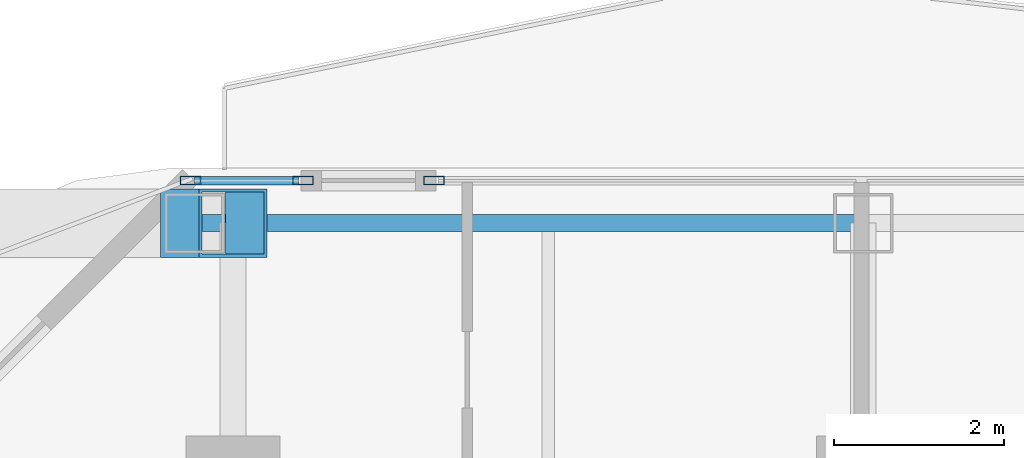
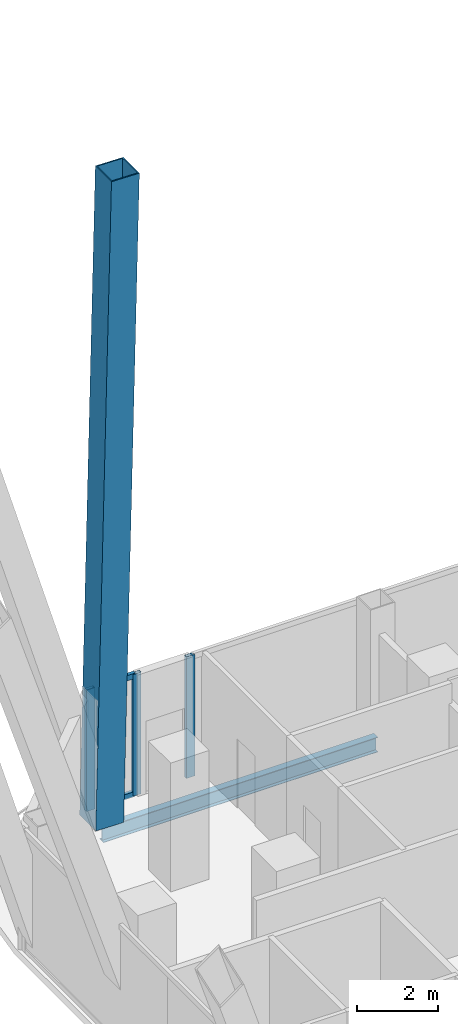
# One storey, part 17 of 32: 6 members, 1 beam, 2 elements without a shape of their own.
"""IFC4 building model written with IfcOpenShell, lengths in metres."""

from ifc_helpers import new_model, si_unit, direction, frame, origin, origin_2d, place, context, subcontext, project, spatial, hollow_rectangle, i_section, extrude, material, layer, layer_set, material_profile, profile_set, type_object, element, aggregate, save


model = new_model("IFC4")

# Units and contexts
model_context = context("Model", 3, precision=1e-05, world=origin(), true_north=direction((0.0, 1.0)))
body_context = subcontext(model_context, "Body", "Model", "MODEL_VIEW")
ifc_project = project(units=[si_unit("LENGTHUNIT", "METRE"), si_unit("AREAUNIT", "SQUARE_METRE"), si_unit("VOLUMEUNIT", "CUBIC_METRE"), si_unit("PLANEANGLEUNIT", "RADIAN"), si_unit("MASSUNIT", "GRAM", prefix="KILO")], contexts=[model_context])

# Site, building, storey
site_placement = place(None, origin())
site = spatial("IfcSite", under=ifc_project, at=site_placement, CompositionType="ELEMENT")
building_placement = place(site_placement, origin())
building = spatial("IfcBuilding", under=site, at=building_placement, Name="Khorvyn Point Tower", CompositionType="ELEMENT")
storey_placement = place(building_placement, frame((0.0, 0.0, 148.5)))
storey = spatial("IfcBuildingStorey", under=building, at=storey_placement, Name="L37", CompositionType="ELEMENT", Elevation=148.5)

# Curtain wall, members
ifc_material_1 = material(Name="Anodised aluminium 6063-T6 and laminated Low-E glass", Category="aluminium")
ifc_layer = layer(ifc_material_1, 0.18994140625)
ifc_layer_set = layer_set([ifc_layer], Name="Stick-Built Acoustic Curtain Wall CW-SYS-03")
curtain_wall_type = type_object("IfcCurtainWallType", Name="Stick-Built Acoustic Curtain Wall CW-SYS-03", PredefinedType="NOTDEFINED", material=ifc_layer_set)
curtain_wall_1_placement = place(storey_placement, origin())
curtain_wall_1 = element("IfcCurtainWall", 1, at=curtain_wall_1_placement, inside=storey, type_object=curtain_wall_type, Name="Curtain Wall", PredefinedType="NOTDEFINED")
ifc_material_2 = material(Name="Anodised aluminium 6063-T6", Category="aluminium")
ifc_material_profile_1 = material_profile(ifc_material_2, hollow_rectangle(XDim=0.10009765625, YDim=0.239990234375, WallThickness=0.0048828125, at=origin_2d()))
ifc_profile_set_1 = profile_set([ifc_material_profile_1], Name="Anodised aluminium 6063-T6 ALU-MUL-100x240")
member_type_1 = type_object("IfcMemberType", Name="Anodised Aluminium 6063-T6 Mullion ALU-MUL-100x240", PredefinedType="MULLION", material=ifc_profile_set_1)
member_1_placement = place(storey_placement, frame((-15.300048828125, 23.64990234375, 0.0), z_axis=(0.0, 0.0, 1.0), x_axis=(0.0, 1.0, 0.0)))
member_1 = element("IfcMember", 2, at=member_1_placement, type_object=member_type_1, Name="Transom", PredefinedType="MULLION", context=body_context, shape_type="SweptSolid", body=[
    extrude(hollow_rectangle(XDim=0.10009765625, YDim=0.239990234375, WallThickness=0.0048828125, at=origin_2d()), origin(), (0.0, 0.0, 1.0), 3.679931640625),
])
member_2_placement = place(storey_placement, frame((-13.97900390625, 23.64990234375, 0.0), z_axis=(0.0, 0.0, 1.0), x_axis=(0.0, 1.0, 0.0)))
member_2 = element("IfcMember", 3, at=member_2_placement, type_object=member_type_1, Name="Transom", PredefinedType="MULLION", context=body_context, shape_type="SweptSolid", body=[
    extrude(hollow_rectangle(XDim=0.10009765625, YDim=0.239990234375, WallThickness=0.0048828125, at=origin_2d()), origin(), (0.0, 0.0, 1.0), 3.679931640625),
])

# Curtain wall, member
curtain_wall_2_placement = place(storey_placement, origin())
curtain_wall_2 = element("IfcCurtainWall", 4, at=curtain_wall_2_placement, inside=storey, type_object=curtain_wall_type, Name="Curtain Wall", PredefinedType="NOTDEFINED")
member_3_placement = place(storey_placement, frame((-12.43896484375, 23.64990234375, 0.0), z_axis=(0.0, 0.0, 1.0), x_axis=(0.0, 1.0, 0.0)))
member_3 = element("IfcMember", 5, at=member_3_placement, type_object=member_type_1, Name="Transom", PredefinedType="MULLION", context=body_context, shape_type="SweptSolid", body=[
    extrude(hollow_rectangle(XDim=0.10009765625, YDim=0.239990234375, WallThickness=0.0048828125, at=origin_2d()), origin(), (0.0, 0.0, 1.0), 3.679931640625),
])
aggregate(curtain_wall_2, [member_3])

# Member
ifc_material_profile_2 = material_profile(ifc_material_2, hollow_rectangle(XDim=0.10009765625, YDim=0.159912109375, WallThickness=0.00439453125, at=origin_2d()))
ifc_profile_set_2 = profile_set([ifc_material_profile_2], Name="Anodised aluminium 6063-T6 ALU-TRN-100x160")
member_type_2 = type_object("IfcMemberType", Name="Anodised Aluminium 6063-T6 Transom ALU-TRN-100x160", PredefinedType="USERDEFINED", material=ifc_profile_set_2)
member_4_placement = place(storey_placement, frame((-15.25, 23.64990234375, 0.050048828125), z_axis=(1.0, 0.0, 0.0), x_axis=(0.0, 1.0, 0.0)))
member_4 = element("IfcMember", 6, at=member_4_placement, type_object=member_type_2, Name="Transom", ObjectType="TRANSOM", PredefinedType="USERDEFINED", context=body_context, shape_type="SweptSolid", body=[
    extrude(hollow_rectangle(XDim=0.10009765625, YDim=0.159912109375, WallThickness=0.00439453125, at=origin_2d()), origin(), (0.0, 0.0, 1.0), 1.220947265625),
])

member_5_placement = place(storey_placement, frame((-15.25, 23.64990234375, 3.6298828125), z_axis=(1.0, 0.0, 0.0), x_axis=(0.0, 1.0, 0.0)))
member_5 = element("IfcMember", 7, at=member_5_placement, type_object=member_type_2, Name="Transom", ObjectType="TRANSOM", PredefinedType="USERDEFINED", context=body_context, shape_type="SweptSolid", body=[
    extrude(hollow_rectangle(XDim=0.10009765625, YDim=0.159912109375, WallThickness=0.00439453125, at=origin_2d()), origin(), (0.0, 0.0, 1.0), 1.220947265625),
])

aggregate(curtain_wall_1, [member_1, member_2, member_4, member_5])

# Beam
ifc_material_3 = material(Name="Steel S355", Category="steel")
ifc_material_profile_3 = material_profile(ifc_material_3, i_section(OverallWidth=0.199951171875, OverallDepth=0.449951171875, WebThickness=0.009033203125, FlangeThickness=0.013916015625, at=origin_2d()))
ifc_profile_set_3 = profile_set([ifc_material_profile_3], Name="Steel S355 H450x200x9x14")
beam_type = type_object("IfcBeamType", Name="Steel S355 Spandrel H450x200x9x14", PredefinedType="SPANDREL", material=ifc_profile_set_3)
beam_placement = place(storey_placement, frame((-15.25, 23.14990234375, -0.445068359375), z_axis=(1.0, 0.0, 0.0), x_axis=(0.0, 1.0, 0.0)))
element("IfcBeam", 8, at=beam_placement, inside=storey, type_object=beam_type, Name="Beam", PredefinedType="SPANDREL", context=body_context, shape_type="SweptSolid", body=[
    extrude(i_section(OverallWidth=0.199951171875, OverallDepth=0.449951171875, WebThickness=0.009033203125, FlangeThickness=0.013916015625, at=origin_2d()), origin(), (0.0, 0.0, 1.0), 7.85009765625),
])

# Member
ifc_material_4 = material(Name="Steel S450", Category="steel")
ifc_material_profile_4 = material_profile(ifc_material_4, hollow_rectangle(XDim=0.800048828125, YDim=0.800048828125, WallThickness=0.035888671875, at=origin_2d()))
ifc_profile_set_4 = profile_set([ifc_material_profile_4], Name="Steel S450 BOX800x800x36")
member_type_3 = type_object("IfcMemberType", Name="Steel S450 Exoskeleton Structural Post BOX800x800x36", PredefinedType="POST", material=ifc_profile_set_4)
member_6_placement = place(storey_placement, frame((-15.25, 23.14990234375, 0.0), z_axis=(0.02306827878, 0.0, 0.99973389185), x_axis=(0.0, 1.0, 0.0)))
element("IfcMember", 9, at=member_6_placement, inside=storey, type_object=member_type_3, Name="L37 to L41 Exoskeleton Transfer Post 10", PredefinedType="POST", context=body_context, shape_type="SweptSolid", body=[
    extrude(hollow_rectangle(XDim=0.800048828125, YDim=0.800048828125, WallThickness=0.035888671875, at=origin_2d()), origin(), (0.0, 0.0, 1.0), 19.505126953125),
])

save(model, "model.ifc")
